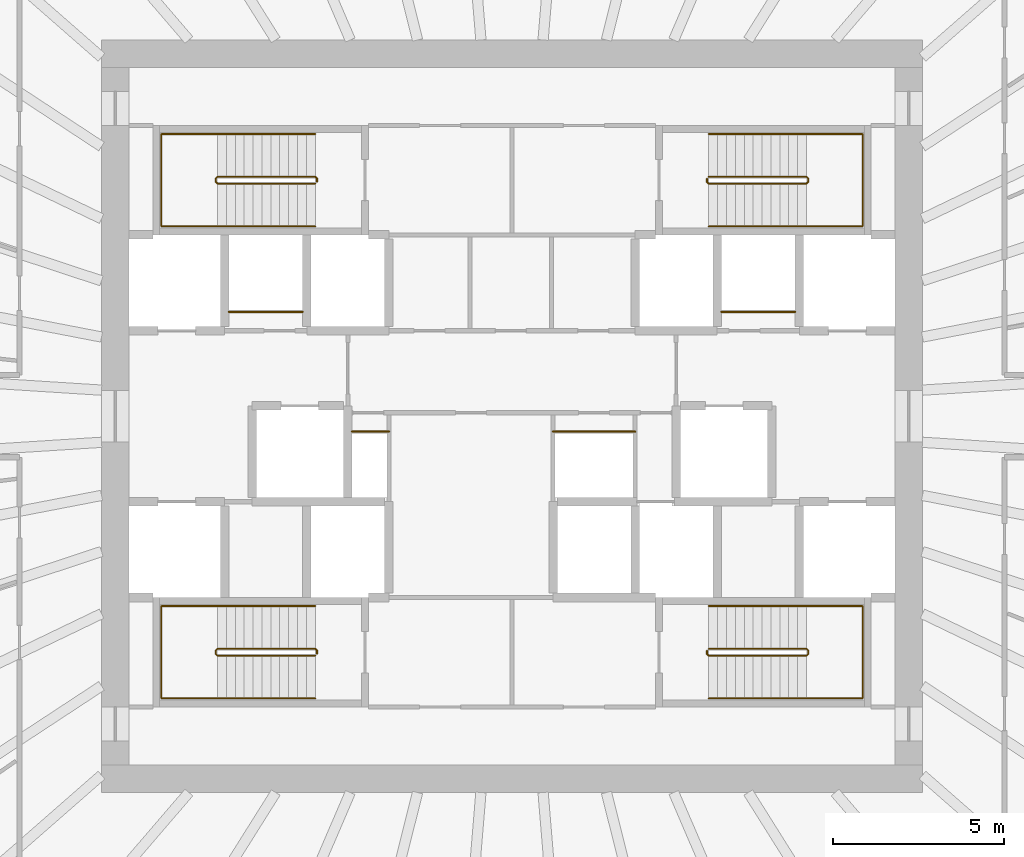
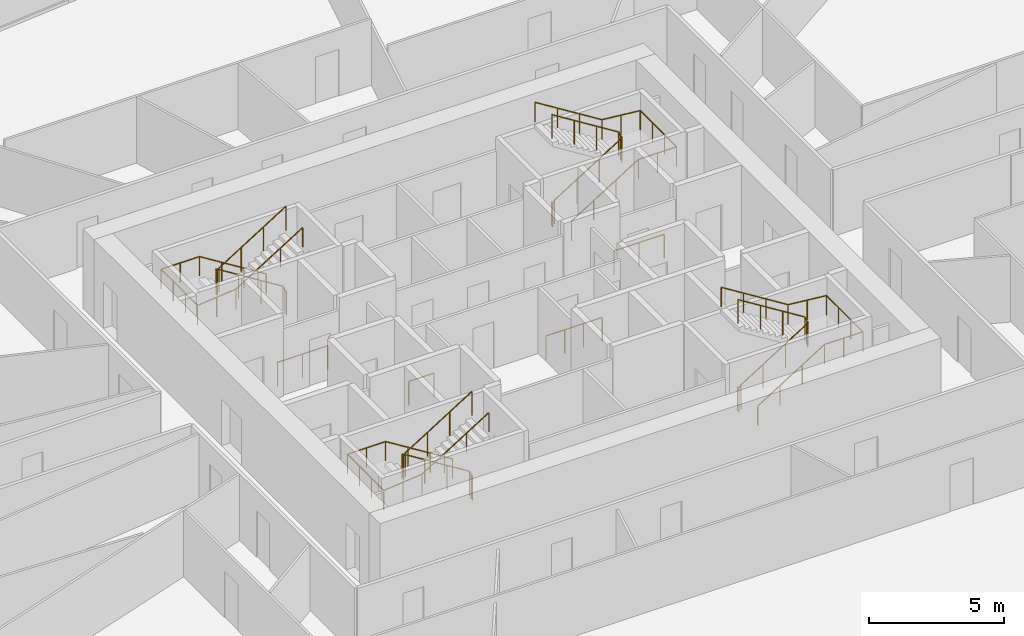
# One storey, part 11 of 11: 12 railings.
"""IFC4 building model written with IfcOpenShell, lengths in metres."""

from ifc_helpers import new_model, si_unit, direction, frame, origin, origin_2d, place, context, subcontext, project, spatial, circle, extrude, source, transform, mapped, material, type_object, element, save


model = new_model("IFC4")

# Units and contexts
model_context = context("Model", 3, precision=1e-05, world=origin(), true_north=direction((0.0, 1.0)))
body_context = subcontext(model_context, "Body", "Model", "MODEL_VIEW")
ifc_project = project(units=[si_unit("LENGTHUNIT", "METRE"), si_unit("AREAUNIT", "SQUARE_METRE"), si_unit("VOLUMEUNIT", "CUBIC_METRE"), si_unit("PLANEANGLEUNIT", "RADIAN"), si_unit("MASSUNIT", "GRAM", prefix="KILO")], contexts=[model_context])

# Site, building, storey
site_placement = place(None, origin())
site = spatial("IfcSite", under=ifc_project, at=site_placement, CompositionType="ELEMENT")
building_placement = place(site_placement, origin())
building = spatial("IfcBuilding", under=site, at=building_placement, Name="Embergate Tower", CompositionType="ELEMENT")
storey_placement = place(building_placement, frame((0.0, 0.0, 143.699951171875)))
storey = spatial("IfcBuildingStorey", under=building, at=storey_placement, Name="L31", CompositionType="ELEMENT", Elevation=143.699951171875)

# Railings
ifc_material_1 = material(Name="Stair guard 1100")
railing_type_1 = type_object("IfcRailingType", Name="Stair guard 1100", PredefinedType="GUARDRAIL", material=ifc_material_1)
shared_shape_1 = source(origin(), body_context, "Body", "SweptSolid", [
    extrude(circle(Radius=0.02392578125, at=origin_2d()), frame((0.0, 0.0, 1.076171875), z_axis=(0.0, 1.0, 0.0), x_axis=(-1.0, 0.0, 0.0)), (0.0, 0.0, 1.0), 0.099853515625),
    extrude(circle(Radius=0.02392578125, at=origin_2d()), frame((0.0, 0.099853515625, 1.076171875), z_axis=(-0.282227285176, 0.282227285176, 0.916894497205), x_axis=(-0.707106781187, -0.707106781187, 0.0)), (0.0, 0.0, 1.0), 0.17724609375),
    extrude(circle(Radius=0.02392578125, at=origin_2d()), frame((-0.050048828125, 0.14990234375, 1.23876953125), z_axis=(-0.848026770018, 0.0, 0.529953391661), x_axis=(0.0, -1.0, 0.0)), (0.0, 0.0, 1.0), 3.37255859375),
    extrude(circle(Radius=0.02392578125, at=origin_2d()), frame((-2.91015625, 0.14990234375, 3.02587890625), z_axis=(-0.705375805398, -0.708833529934, 0.0), x_axis=(0.708833529934, -0.705375805398, 0.0)), (0.0, 0.0, 1.0), 0.070556640625),
    extrude(circle(Radius=0.02392578125, at=origin_2d()), frame((-2.9599609375, 0.099853515625, 3.02587890625), z_axis=(0.0, -1.0, 0.0), x_axis=(1.0, 0.0, 0.0)), (0.0, 0.0, 1.0), 0.099853515625),
    extrude(circle(Radius=0.02392578125, at=origin_2d()), frame((-2.9599609375, 0.0, 3.02587890625), z_axis=(0.280959487676, -0.282336740067, 0.917250092119), x_axis=(0.708833529934, 0.705375805398, 0.0)), (0.0, 0.0, 1.0), 0.17724609375),
    extrude(circle(Radius=0.02392578125, at=origin_2d()), frame((-2.91015625, -0.050048828125, 3.1884765625), z_axis=(0.847994237388, 0.0, 0.530005446535), x_axis=(0.0, 1.0, 0.0)), (0.0, 0.0, 1.0), 3.372802734375),
    extrude(circle(Radius=0.02099609375, at=origin_2d()), origin(), (0.0, 0.0, 1.0), 1.052001953125),
    extrude(circle(Radius=0.02099609375, at=origin_2d()), frame((0.0, 0.099853515625, 0.0)), (0.0, 0.0, 1.0), 1.052001953125),
    extrude(circle(Radius=0.02099609375, at=origin_2d()), frame((-0.050048828125, 0.14990234375, 0.16259765625)), (0.0, 0.0, 1.0), 1.052001953125),
    extrude(circle(Radius=0.02099609375, at=origin_2d()), frame((-1.00341796875, 0.14990234375, 0.75830078125)), (0.0, 0.0, 1.0), 1.052001953125),
    extrude(circle(Radius=0.02099609375, at=origin_2d()), frame((-1.956787109375, 0.14990234375, 1.354248046875)), (0.0, 0.0, 1.0), 1.052001953125),
    extrude(circle(Radius=0.02099609375, at=origin_2d()), frame((-2.91015625, 0.14990234375, 1.949951171875)), (0.0, 0.0, 1.0), 1.052001953125),
    extrude(circle(Radius=0.02099609375, at=origin_2d()), frame((-2.9599609375, 0.099853515625, 1.949951171875)), (0.0, 0.0, 1.0), 1.052001953125),
    extrude(circle(Radius=0.02099609375, at=origin_2d()), frame((-2.9599609375, 0.0, 1.949951171875)), (0.0, 0.0, 1.0), 1.052001953125),
    extrude(circle(Radius=0.02099609375, at=origin_2d()), frame((-2.91015625, -0.050048828125, 2.112548828125)), (0.0, 0.0, 1.0), 1.052001953125),
    extrude(circle(Radius=0.02099609375, at=origin_2d()), frame((-1.956787109375, -0.050048828125, 2.70849609375)), (0.0, 0.0, 1.0), 1.052001953125),
    extrude(circle(Radius=0.02099609375, at=origin_2d()), frame((-1.00341796875, -0.050048828125, 3.30419921875)), (0.0, 0.0, 1.0), 1.052001953125),
    extrude(circle(Radius=0.02099609375, at=origin_2d()), frame((-0.050048828125, -0.050048828125, 3.900146484375)), (0.0, 0.0, 1.0), 1.052001953125),
])
for number, where, name in (
    (1, (-5.699951171875, 6.85009765625, 0.0), "L31 ST1 stair guard 1"),
    (2, (-5.699951171875, -6.949951171875, 0.0), "L31 ST3 stair guard 1"),
):
    element("IfcRailing", number, at=place(storey_placement, frame(where)), inside=storey, type_object=railing_type_1, Name=name, PredefinedType="GUARDRAIL", context=body_context, shape_type="MappedRepresentation", body=[
        mapped(shared_shape_1, transform((0.0, 0.0, 0.0))),
    ])
ifc_material_2 = material(Name="Stair handrail 900")
railing_type_2 = type_object("IfcRailingType", Name="Stair handrail 900", PredefinedType="HANDRAIL", material=ifc_material_2)
shared_shape_2 = source(origin(), body_context, "Body", "SweptSolid", [
    extrude(circle(Radius=0.02392578125, at=origin_2d()), frame((0.0, 0.0, 0.8759765625), z_axis=(-0.848026770018, 0.0, 0.529953391661), x_axis=(0.0, -1.0, 0.0)), (0.0, 0.0, 1.0), 3.37255859375),
    extrude(circle(Radius=0.02392578125, at=origin_2d()), frame((-2.860107421875, 0.0, 2.6630859375), z_axis=(-1.0, 0.0, 0.0), x_axis=(0.0, -1.0, 0.0)), (0.0, 0.0, 1.0), 1.639892578125),
    extrude(circle(Radius=0.02392578125, at=origin_2d()), frame((-4.5, 0.0, 2.6630859375), z_axis=(0.0, -1.0, 0.0), x_axis=(1.0, 0.0, 0.0)), (0.0, 0.0, 1.0), 2.699951171875),
    extrude(circle(Radius=0.02392578125, at=origin_2d()), frame((-4.5, -2.699951171875, 2.6630859375), z_axis=(0.995120448088, 0.0, 0.098667592441), x_axis=(0.0, 1.0, 0.0)), (0.0, 0.0, 1.0), 1.64794921875),
    extrude(circle(Radius=0.02392578125, at=origin_2d()), frame((-2.860107421875, -2.699951171875, 2.82568359375), z_axis=(0.847994237388, 0.0, 0.530005446535), x_axis=(0.0, 1.0, 0.0)), (0.0, 0.0, 1.0), 3.372802734375),
    extrude(circle(Radius=0.02099609375, at=origin_2d()), origin(), (0.0, 0.0, 1.0), 0.851806640625),
    extrude(circle(Radius=0.02099609375, at=origin_2d()), frame((-0.953369140625, 0.0, 0.595703125)), (0.0, 0.0, 1.0), 0.851806640625),
    extrude(circle(Radius=0.02099609375, at=origin_2d()), frame((-1.90673828125, 0.0, 1.191650390625)), (0.0, 0.0, 1.0), 0.851806640625),
    extrude(circle(Radius=0.02099609375, at=origin_2d()), frame((-2.860107421875, 0.0, 1.787353515625)), (0.0, 0.0, 1.0), 0.851806640625),
    extrude(circle(Radius=0.02099609375, at=origin_2d()), frame((-3.68017578125, 0.0, 1.787353515625)), (0.0, 0.0, 1.0), 0.851806640625),
    extrude(circle(Radius=0.02099609375, at=origin_2d()), frame((-4.5, 0.0, 1.787353515625)), (0.0, 0.0, 1.0), 0.851806640625),
    extrude(circle(Radius=0.02099609375, at=origin_2d()), frame((-4.5, -0.89990234375, 1.787353515625)), (0.0, 0.0, 1.0), 0.851806640625),
    extrude(circle(Radius=0.02099609375, at=origin_2d()), frame((-4.5, -1.800048828125, 1.787353515625)), (0.0, 0.0, 1.0), 0.851806640625),
    extrude(circle(Radius=0.02099609375, at=origin_2d()), frame((-4.5, -2.699951171875, 1.787353515625)), (0.0, 0.0, 1.0), 0.851806640625),
    extrude(circle(Radius=0.02099609375, at=origin_2d()), frame((-3.68017578125, -2.699951171875, 1.86865234375)), (0.0, 0.0, 1.0), 0.851806640625),
    extrude(circle(Radius=0.02099609375, at=origin_2d()), frame((-2.860107421875, -2.699951171875, 1.949951171875)), (0.0, 0.0, 1.0), 0.851806640625),
    extrude(circle(Radius=0.02099609375, at=origin_2d()), frame((-1.90673828125, -2.699951171875, 2.5458984375)), (0.0, 0.0, 1.0), 0.851806640625),
    extrude(circle(Radius=0.02099609375, at=origin_2d()), frame((-0.953369140625, -2.699951171875, 3.1416015625)), (0.0, 0.0, 1.0), 0.851806640625),
    extrude(circle(Radius=0.02099609375, at=origin_2d()), frame((0.0, -2.699951171875, 3.737548828125)), (0.0, 0.0, 1.0), 0.851806640625),
])
for number, where, name in (
    (3, (-5.75, 8.25, 0.16259765625), "L31 ST1 stair handrail 1"),
    (4, (-5.75, -5.550048828125, 0.16259765625), "L31 ST3 stair handrail 1"),
):
    element("IfcRailing", number, at=place(storey_placement, frame(where)), inside=storey, type_object=railing_type_2, Name=name, PredefinedType="HANDRAIL", context=body_context, shape_type="MappedRepresentation", body=[
        mapped(shared_shape_2, transform((0.0, 0.0, 0.0))),
    ])
shared_shape_3 = source(origin(), body_context, "Body", "SweptSolid", [
    extrude(circle(Radius=0.02392578125, at=origin_2d()), frame((0.0, 0.0, 1.076171875), z_axis=(0.0, -1.0, 0.0), x_axis=(1.0, 0.0, 0.0)), (0.0, 0.0, 1.0), 0.099853515625),
    extrude(circle(Radius=0.02392578125, at=origin_2d()), frame((0.0, -0.099853515625, 1.076171875), z_axis=(0.282227285176, -0.282227285176, 0.916894497205), x_axis=(0.707106781187, 0.707106781187, 0.0)), (0.0, 0.0, 1.0), 0.17724609375),
    extrude(circle(Radius=0.02392578125, at=origin_2d()), frame((0.050048828125, -0.14990234375, 1.23876953125), z_axis=(0.848026770018, 0.0, 0.529953391661), x_axis=(0.0, 1.0, 0.0)), (0.0, 0.0, 1.0), 3.37255859375),
    extrude(circle(Radius=0.02392578125, at=origin_2d()), frame((2.91015625, -0.14990234375, 3.02587890625), z_axis=(0.705375805398, 0.708833529934, 0.0), x_axis=(-0.708833529934, 0.705375805398, 0.0)), (0.0, 0.0, 1.0), 0.070556640625),
    extrude(circle(Radius=0.02392578125, at=origin_2d()), frame((2.9599609375, -0.099853515625, 3.02587890625), z_axis=(0.0, 1.0, 0.0), x_axis=(-1.0, 0.0, 0.0)), (0.0, 0.0, 1.0), 0.099853515625),
    extrude(circle(Radius=0.02392578125, at=origin_2d()), frame((2.9599609375, 0.0, 3.02587890625), z_axis=(-0.280959487676, 0.282336740067, 0.917250092119), x_axis=(-0.708833529934, -0.705375805398, 0.0)), (0.0, 0.0, 1.0), 0.17724609375),
    extrude(circle(Radius=0.02392578125, at=origin_2d()), frame((2.91015625, 0.050048828125, 3.1884765625), z_axis=(-0.847994237388, 0.0, 0.530005446535), x_axis=(0.0, -1.0, 0.0)), (0.0, 0.0, 1.0), 3.372802734375),
    extrude(circle(Radius=0.02099609375, at=origin_2d()), origin(), (0.0, 0.0, 1.0), 1.052001953125),
    extrude(circle(Radius=0.02099609375, at=origin_2d()), frame((0.0, -0.099853515625, 0.0)), (0.0, 0.0, 1.0), 1.052001953125),
    extrude(circle(Radius=0.02099609375, at=origin_2d()), frame((0.050048828125, -0.14990234375, 0.16259765625)), (0.0, 0.0, 1.0), 1.052001953125),
    extrude(circle(Radius=0.02099609375, at=origin_2d()), frame((1.00341796875, -0.14990234375, 0.75830078125)), (0.0, 0.0, 1.0), 1.052001953125),
    extrude(circle(Radius=0.02099609375, at=origin_2d()), frame((1.956787109375, -0.14990234375, 1.354248046875)), (0.0, 0.0, 1.0), 1.052001953125),
    extrude(circle(Radius=0.02099609375, at=origin_2d()), frame((2.91015625, -0.14990234375, 1.949951171875)), (0.0, 0.0, 1.0), 1.052001953125),
    extrude(circle(Radius=0.02099609375, at=origin_2d()), frame((2.9599609375, -0.099853515625, 1.949951171875)), (0.0, 0.0, 1.0), 1.052001953125),
    extrude(circle(Radius=0.02099609375, at=origin_2d()), frame((2.9599609375, 0.0, 1.949951171875)), (0.0, 0.0, 1.0), 1.052001953125),
    extrude(circle(Radius=0.02099609375, at=origin_2d()), frame((2.91015625, 0.050048828125, 2.112548828125)), (0.0, 0.0, 1.0), 1.052001953125),
    extrude(circle(Radius=0.02099609375, at=origin_2d()), frame((1.956787109375, 0.050048828125, 2.70849609375)), (0.0, 0.0, 1.0), 1.052001953125),
    extrude(circle(Radius=0.02099609375, at=origin_2d()), frame((1.00341796875, 0.050048828125, 3.30419921875)), (0.0, 0.0, 1.0), 1.052001953125),
    extrude(circle(Radius=0.02099609375, at=origin_2d()), frame((0.050048828125, 0.050048828125, 3.900146484375)), (0.0, 0.0, 1.0), 1.052001953125),
])
for number, where, name in (
    (5, (5.699951171875, 6.949951171875, 0.0), "L31 ST2 stair guard 1"),
    (6, (5.699951171875, -6.85009765625, 0.0), "L31 ST4 stair guard 1"),
):
    element("IfcRailing", number, at=place(storey_placement, frame(where)), inside=storey, type_object=railing_type_1, Name=name, PredefinedType="GUARDRAIL", context=body_context, shape_type="MappedRepresentation", body=[
        mapped(shared_shape_3, transform((0.0, 0.0, 0.0))),
    ])
shared_shape_4 = source(origin(), body_context, "Body", "SweptSolid", [
    extrude(circle(Radius=0.02392578125, at=origin_2d()), frame((0.0, 0.0, 0.8759765625), z_axis=(0.848026770018, 0.0, 0.529953391661), x_axis=(0.0, 1.0, 0.0)), (0.0, 0.0, 1.0), 3.37255859375),
    extrude(circle(Radius=0.02392578125, at=origin_2d()), frame((2.860107421875, 0.0, 2.6630859375), z_axis=(1.0, 0.0, 0.0), x_axis=(0.0, 1.0, 0.0)), (0.0, 0.0, 1.0), 1.639892578125),
    extrude(circle(Radius=0.02392578125, at=origin_2d()), frame((4.5, 0.0, 2.6630859375), z_axis=(0.0, 1.0, 0.0), x_axis=(-1.0, 0.0, 0.0)), (0.0, 0.0, 1.0), 2.699951171875),
    extrude(circle(Radius=0.02392578125, at=origin_2d()), frame((4.5, 2.699951171875, 2.6630859375), z_axis=(-0.995120448088, 0.0, 0.098667592441), x_axis=(0.0, -1.0, 0.0)), (0.0, 0.0, 1.0), 1.64794921875),
    extrude(circle(Radius=0.02392578125, at=origin_2d()), frame((2.860107421875, 2.699951171875, 2.82568359375), z_axis=(-0.847994237388, 0.0, 0.530005446535), x_axis=(0.0, -1.0, 0.0)), (0.0, 0.0, 1.0), 3.372802734375),
    extrude(circle(Radius=0.02099609375, at=origin_2d()), origin(), (0.0, 0.0, 1.0), 0.851806640625),
    extrude(circle(Radius=0.02099609375, at=origin_2d()), frame((0.953369140625, 0.0, 0.595703125)), (0.0, 0.0, 1.0), 0.851806640625),
    extrude(circle(Radius=0.02099609375, at=origin_2d()), frame((1.90673828125, 0.0, 1.191650390625)), (0.0, 0.0, 1.0), 0.851806640625),
    extrude(circle(Radius=0.02099609375, at=origin_2d()), frame((2.860107421875, 0.0, 1.787353515625)), (0.0, 0.0, 1.0), 0.851806640625),
    extrude(circle(Radius=0.02099609375, at=origin_2d()), frame((3.68017578125, 0.0, 1.787353515625)), (0.0, 0.0, 1.0), 0.851806640625),
    extrude(circle(Radius=0.02099609375, at=origin_2d()), frame((4.5, 0.0, 1.787353515625)), (0.0, 0.0, 1.0), 0.851806640625),
    extrude(circle(Radius=0.02099609375, at=origin_2d()), frame((4.5, 0.89990234375, 1.787353515625)), (0.0, 0.0, 1.0), 0.851806640625),
    extrude(circle(Radius=0.02099609375, at=origin_2d()), frame((4.5, 1.800048828125, 1.787353515625)), (0.0, 0.0, 1.0), 0.851806640625),
    extrude(circle(Radius=0.02099609375, at=origin_2d()), frame((4.5, 2.699951171875, 1.787353515625)), (0.0, 0.0, 1.0), 0.851806640625),
    extrude(circle(Radius=0.02099609375, at=origin_2d()), frame((3.68017578125, 2.699951171875, 1.86865234375)), (0.0, 0.0, 1.0), 0.851806640625),
    extrude(circle(Radius=0.02099609375, at=origin_2d()), frame((2.860107421875, 2.699951171875, 1.949951171875)), (0.0, 0.0, 1.0), 0.851806640625),
    extrude(circle(Radius=0.02099609375, at=origin_2d()), frame((1.90673828125, 2.699951171875, 2.5458984375)), (0.0, 0.0, 1.0), 0.851806640625),
    extrude(circle(Radius=0.02099609375, at=origin_2d()), frame((0.953369140625, 2.699951171875, 3.1416015625)), (0.0, 0.0, 1.0), 0.851806640625),
    extrude(circle(Radius=0.02099609375, at=origin_2d()), frame((0.0, 2.699951171875, 3.737548828125)), (0.0, 0.0, 1.0), 0.851806640625),
])
for number, where, name in (
    (7, (5.75, 5.550048828125, 0.16259765625), "L31 ST2 stair handrail 1"),
    (8, (5.75, -8.25, 0.16259765625), "L31 ST4 stair handrail 1"),
):
    element("IfcRailing", number, at=place(storey_placement, frame(where)), inside=storey, type_object=railing_type_2, Name=name, PredefinedType="HANDRAIL", context=body_context, shape_type="MappedRepresentation", body=[
        mapped(shared_shape_4, transform((0.0, 0.0, 0.0))),
    ])
ifc_material_3 = material(Name="Opening guard 1100")
railing_type_3 = type_object("IfcRailingType", Name="Opening guard 1100", PredefinedType="GUARDRAIL", material=ifc_material_3)
shared_shape_5 = source(origin(), body_context, "Body", "SweptSolid", [
    extrude(circle(Radius=0.02392578125, at=origin_2d()), frame((0.0, 0.0, 1.076171875), z_axis=(1.0, 0.0, 0.0), x_axis=(0.0, 1.0, 0.0)), (0.0, 0.0, 1.0), 2.14990234375),
    extrude(circle(Radius=0.02099609375, at=origin_2d()), origin(), (0.0, 0.0, 1.0), 1.052001953125),
    extrude(circle(Radius=0.02099609375, at=origin_2d()), frame((1.074951171875, 0.0, 0.0)), (0.0, 0.0, 1.0), 1.052001953125),
    extrude(circle(Radius=0.02099609375, at=origin_2d()), frame((2.14990234375, 0.0, 0.0)), (0.0, 0.0, 1.0), 1.052001953125),
])
for number, where, name in (
    (9, (-8.27490234375, 3.050048828125, 0.0), "Riser opening guard"),
    (10, (6.125, 3.050048828125, 0.0), "Riser opening guard"),
):
    element("IfcRailing", number, at=place(storey_placement, frame(where)), inside=storey, type_object=railing_type_3, Name=name, PredefinedType="GUARDRAIL", context=body_context, shape_type="MappedRepresentation", body=[
        mapped(shared_shape_5, transform((0.0, 0.0, 0.0))),
    ])
shared_shape_6 = source(origin(), body_context, "Body", "SweptSolid", [
    extrude(circle(Radius=0.02392578125, at=origin_2d()), frame((0.0, 0.0, 1.076171875), z_axis=(1.0, 0.0, 0.0), x_axis=(0.0, 1.0, 0.0)), (0.0, 0.0, 1.0), 1.074951171875),
    extrude(circle(Radius=0.02099609375, at=origin_2d()), origin(), (0.0, 0.0, 1.0), 1.052001953125),
    extrude(circle(Radius=0.02099609375, at=origin_2d()), frame((1.074951171875, 0.0, 0.0)), (0.0, 0.0, 1.0), 1.052001953125),
])
railing_1_placement = place(storey_placement, frame((-4.675048828125, -0.449951171875, 0.0)))
element("IfcRailing", 11, at=railing_1_placement, inside=storey, type_object=railing_type_3, Name="Riser opening guard", PredefinedType="GUARDRAIL", context=body_context, shape_type="MappedRepresentation", body=[
    mapped(shared_shape_6, transform((0.0, 0.0, 0.0))),
])
shared_shape_7 = source(origin(), body_context, "Body", "SweptSolid", [
    extrude(circle(Radius=0.02392578125, at=origin_2d()), frame((0.0, 0.0, 1.076171875), z_axis=(1.0, 0.0, 0.0), x_axis=(0.0, 1.0, 0.0)), (0.0, 0.0, 1.0), 2.400146484375),
    extrude(circle(Radius=0.02099609375, at=origin_2d()), origin(), (0.0, 0.0, 1.0), 1.052001953125),
    extrude(circle(Radius=0.02099609375, at=origin_2d()), frame((0.800048828125, 0.0, 0.0)), (0.0, 0.0, 1.0), 1.052001953125),
    extrude(circle(Radius=0.02099609375, at=origin_2d()), frame((1.60009765625, 0.0, 0.0)), (0.0, 0.0, 1.0), 1.052001953125),
    extrude(circle(Radius=0.02099609375, at=origin_2d()), frame((2.400146484375, 0.0, 0.0)), (0.0, 0.0, 1.0), 1.052001953125),
])
railing_2_placement = place(storey_placement, frame((1.199951171875, -0.449951171875, 0.0)))
element("IfcRailing", 12, at=railing_2_placement, inside=storey, type_object=railing_type_3, Name="Riser opening guard", PredefinedType="GUARDRAIL", context=body_context, shape_type="MappedRepresentation", body=[
    mapped(shared_shape_7, transform((0.0, 0.0, 0.0))),
])

save(model, "model.ifc")
